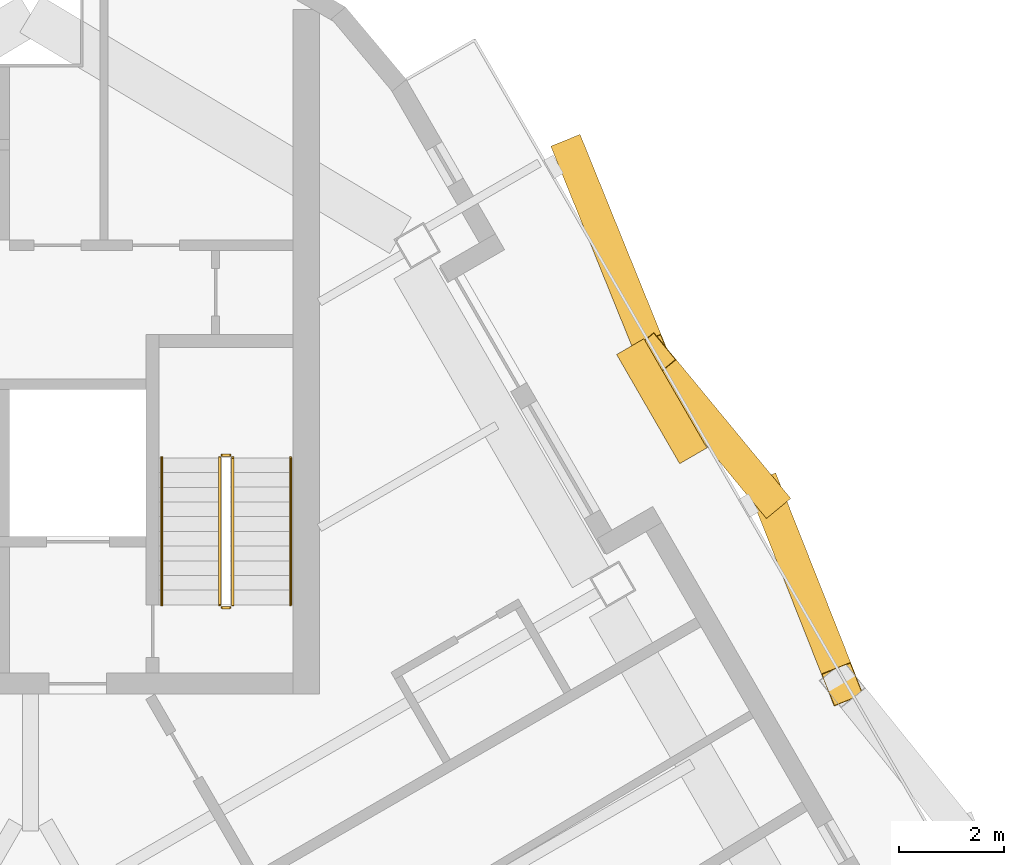
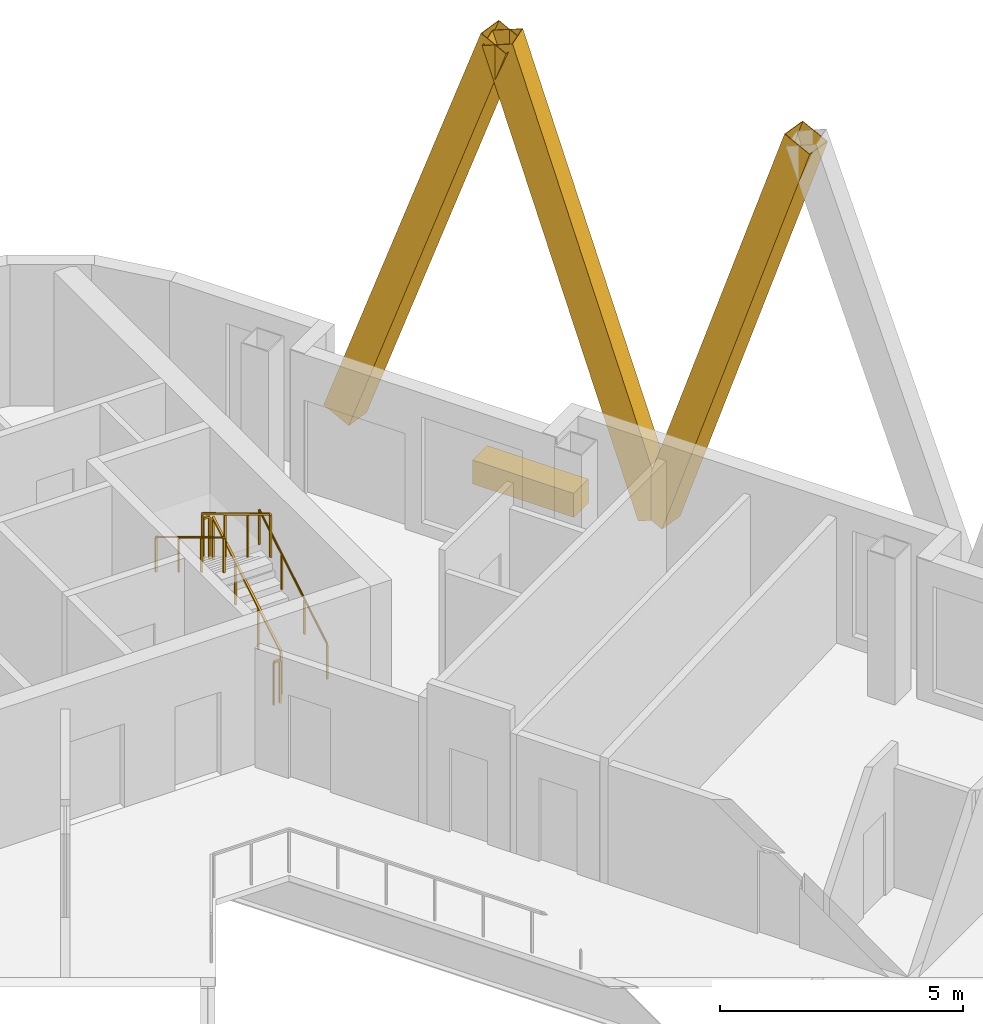
# One storey, part 14 of 14: 6 railings, 3 shading devices, 1 covering.
"""IFC4 building model written with IfcOpenShell, lengths in metres."""

import ifcopenshell
import ifcopenshell.guid

model = None  # the IFC model being written
_history = None  # IfcOwnerHistory: only IFC2X3 demands one
_inside = {}  # id of a spatial element -> (the spatial element, [elements in it])
_under = {}  # id of a project, library or spatial element -> (it, [spatial elements below it])
_declared = {}  # id of a project -> (the project, [libraries it declares])
_typed = {}  # id of a type object -> (the type object, [elements of that type])
_made_of = {}  # id of a material, layer set ... -> (it, [elements and type objects made of it])


def new_model(schema):
    """Start an empty IFC model of exactly this schema.

    Asked for "IFC4X3", IfcOpenShell would pick the latest addendum, in which some entities
    have other attributes; the version numbers below select the first issue.
    IFC2X3 requires an IfcOwnerHistory on every rooted entity: one is made here for all.
    """
    global model, _history
    if schema == "IFC4X3":
        model = ifcopenshell.file(schema_version=(4, 3, 0, 0))
    else:
        model = ifcopenshell.file(schema=schema)
    _inside.clear()
    _under.clear()
    _declared.clear()
    _typed.clear()
    _made_of.clear()
    _history = None
    if model.schema == "IFC2X3":
        org = make("IfcOrganization", Name="unknown")
        user = make(
            "IfcPersonAndOrganization",
            ThePerson=make("IfcPerson", FamilyName="unknown"),
            TheOrganization=org,
        )
        app = make(
            "IfcApplication",
            ApplicationDeveloper=org,
            Version="unknown",
            ApplicationFullName="unknown",
            ApplicationIdentifier="unknown",
        )
        _history = make(
            "IfcOwnerHistory",
            OwningUser=user,
            OwningApplication=app,
            ChangeAction="ADDED",
            CreationDate=0,
        )
    return model


def make(cls, **values):
    """One entity of the class cls with the attributes given. An attribute that is None is left unset."""
    return model.create_entity(
        cls, **{name: value for name, value in values.items() if value is not None}
    )


def rooted(cls, **values):
    """An entity with a GlobalId (a new one), such as an element, a storey or a relation."""
    return make(cls, GlobalId=ifcopenshell.guid.new(), OwnerHistory=_history, **values)


def si_unit(unit_type, name, prefix=None):
    """IfcSIUnit, for example si_unit("LENGTHUNIT", "METRE", prefix="MILLI")."""
    return make("IfcSIUnit", UnitType=unit_type, Prefix=prefix, Name=name)


def assignment(units):
    """IfcUnitAssignment: the units of a project."""
    return None if units is None else make("IfcUnitAssignment", Units=units)


def point(xyz):
    """IfcCartesianPoint."""
    return None if xyz is None else make("IfcCartesianPoint", Coordinates=xyz)


def direction(xyz):
    """IfcDirection."""
    return None if xyz is None else make("IfcDirection", DirectionRatios=xyz)


def frame(location, z_axis=None, x_axis=None):
    """IfcAxis2Placement3D, a coordinate frame: its origin and axes. An axis left out is left unset."""
    return make(
        "IfcAxis2Placement3D",
        Location=point(location),
        Axis=direction(z_axis),
        RefDirection=direction(x_axis),
    )


def frame_2d(location, x_axis=None):
    """IfcAxis2Placement2D, a coordinate frame in the plane: its origin and x axis."""
    return make(
        "IfcAxis2Placement2D", Location=point(location), RefDirection=direction(x_axis)
    )


def origin():
    """The frame at (0, 0, 0) with its axes left unset."""
    return frame((0.0, 0.0, 0.0))


def origin_2d():
    """The frame at (0, 0) in the plane with its x axis left unset."""
    return frame_2d((0.0, 0.0))


def place(relative_to, where):
    """IfcLocalPlacement: puts the frame where relative to a parent placement (None: the world)."""
    return make(
        "IfcLocalPlacement", PlacementRelTo=relative_to, RelativePlacement=where
    )


def context(
    kind, dimensions, precision=None, world=None, true_north=None, identifier=None
):
    """IfcGeometricRepresentationContext, for example the 3D "Model" context."""
    return make(
        "IfcGeometricRepresentationContext",
        ContextIdentifier=identifier,
        ContextType=kind,
        CoordinateSpaceDimension=dimensions,
        Precision=precision,
        WorldCoordinateSystem=world,
        TrueNorth=true_north,
    )


def subcontext(parent, identifier, kind, view, scale=None):
    """IfcGeometricRepresentationSubContext, for example "Body" below "Model"."""
    return make(
        "IfcGeometricRepresentationSubContext",
        ContextIdentifier=identifier,
        ContextType=kind,
        ParentContext=parent,
        TargetScale=scale,
        TargetView=view,
    )


def project(units=None, contexts=None):
    """IfcProject with its units and contexts."""
    return rooted(
        "IfcProject",
        Name="project",
        RepresentationContexts=contexts,
        UnitsInContext=assignment(units),
    )


def spatial(cls, under=None, at=None, **own):
    """A site, building, storey or space (cls), placed at a placement, below another one or the project."""
    s = rooted(cls, ObjectPlacement=at, **own)
    if under is not None:
        _under.setdefault(under.id(), (under, []))[1].append(s)
    return s


def profile(cls, at=None, kind="AREA", **sizes):
    """A parametric profile (cls). Its sizes go by their IFC names, for example OverallWidth=200.0."""
    return make(cls, ProfileType=kind, Position=at, **sizes)


def rectangle(**sizes):
    """IfcRectangleProfileDef."""
    return profile("IfcRectangleProfileDef", **sizes)


def hollow_rectangle(**sizes):
    """IfcRectangleHollowProfileDef."""
    return profile("IfcRectangleHollowProfileDef", **sizes)


def circle(**sizes):
    """IfcCircleProfileDef."""
    return profile("IfcCircleProfileDef", **sizes)


def extrude(swept, where, along, depth):
    """IfcExtrudedAreaSolid: the profile swept, set in the frame where, extruded along a direction by depth."""
    return make(
        "IfcExtrudedAreaSolid",
        SweptArea=swept,
        Position=where,
        ExtrudedDirection=direction(along),
        Depth=depth,
    )


def shape(context_of_items, identifier, shape_type, items):
    """IfcShapeRepresentation: the items that make up one representation, for example the "Body"."""
    return make(
        "IfcShapeRepresentation",
        ContextOfItems=context_of_items,
        RepresentationIdentifier=identifier,
        RepresentationType=shape_type,
        Items=items,
    )


def material(Name=None, Category=None):
    """IfcMaterial."""
    return make("IfcMaterial", Name=Name, Category=Category)


def material_profile(
    of_material, cross_section, Name=None, Category=None, Priority=None
):
    """IfcMaterialProfile: a cross section and its material."""
    return make(
        "IfcMaterialProfile",
        Name=Name,
        Material=of_material,
        Profile=cross_section,
        Priority=Priority,
        Category=Category,
    )


def profile_set(profiles, Name=None, composite=None):
    """IfcMaterialProfileSet."""
    return make(
        "IfcMaterialProfileSet",
        Name=Name,
        MaterialProfiles=profiles,
        CompositeProfile=composite,
    )


def made_of(thing, what):
    """Note that an element or type object is made of a material, layer set ...; save() writes the relation."""
    if what is not None:
        _made_of.setdefault(what.id(), (what, []))[1].append(thing)
    return thing


def type_object(cls, material=None, **own):
    """A type object (cls), such as IfcWallType, which elements share."""
    return made_of(rooted(cls, **own), material)


def element(
    cls,
    number,
    at=None,
    inside=None,
    cuts=None,
    type_object=None,
    material=None,
    context=None,
    identifier="Body",
    shape_type=None,
    held_by="IfcProductDefinitionShape",
    body=None,
    shapes=None,
    **own,
):
    """One element of the class cls, such as IfcWall. Its Tag is "e" and its number.

    at: its placement. inside: the storey or other place that contains it. cuts: it is an
    opening in that element (IfcRelVoidsElement). A single representation is given by context,
    identifier, shape_type and body (its items); several are given by shapes. held_by: the class
    of the entity that holds the representations. save() writes the other relations.
    """
    e = rooted(cls, Tag="e%d" % number, ObjectPlacement=at, **own)
    if body is not None:
        shapes = [shape(context, identifier, shape_type, body)]
    if shapes is not None:
        e.Representation = make(held_by, Representations=shapes)
    if inside is not None:
        _inside.setdefault(inside.id(), (inside, []))[1].append(e)
    if cuts is not None:
        rooted(
            "IfcRelVoidsElement", RelatingBuildingElement=cuts, RelatedOpeningElement=e
        )
    if type_object is not None:
        _typed.setdefault(type_object.id(), (type_object, []))[1].append(e)
    return made_of(e, material)


def aggregate(whole, parts):
    """IfcRelAggregates: a whole, such as a stair, and the parts it consists of."""
    return rooted("IfcRelAggregates", RelatingObject=whole, RelatedObjects=parts)


def save(model, path):
    """Write the relations noted so far, then the file.

    IfcRelAggregates (storeys below a building ...), IfcRelContainedInSpatialStructure (elements
    in a storey), IfcRelDefinesByType, IfcRelAssociatesMaterial and IfcRelDeclares: one each for
    every whole, place, type object, material and project.
    """
    for whole, parts in _under.values():
        aggregate(whole, parts)
    for where, things in _inside.values():
        rooted(
            "IfcRelContainedInSpatialStructure",
            RelatedElements=things,
            RelatingStructure=where,
        )
    for kind, things in _typed.values():
        rooted("IfcRelDefinesByType", RelatedObjects=things, RelatingType=kind)
    for what, things in _made_of.values():
        rooted("IfcRelAssociatesMaterial", RelatedObjects=things, RelatingMaterial=what)
    for by, libraries in _declared.values():
        rooted("IfcRelDeclares", RelatingContext=by, RelatedDefinitions=libraries)
    model.write(path)


model = new_model("IFC4")

# Units and contexts
model_context = context("Model", 3, precision=1e-05, world=origin(), true_north=direction((0.0, 1.0)))
body_context = subcontext(model_context, "Body", "Model", "MODEL_VIEW")
ifc_project = project(units=[si_unit("LENGTHUNIT", "METRE"), si_unit("AREAUNIT", "SQUARE_METRE"), si_unit("VOLUMEUNIT", "CUBIC_METRE"), si_unit("PLANEANGLEUNIT", "RADIAN"), si_unit("MASSUNIT", "GRAM", prefix="KILO")], contexts=[model_context])

# Site, building, storey
site_placement = place(None, origin())
site = spatial("IfcSite", under=ifc_project, at=site_placement, CompositionType="ELEMENT")
building_placement = place(site_placement, origin())
building = spatial("IfcBuilding", under=site, at=building_placement, Name="Apuvela Tower Hotel", CompositionType="ELEMENT")
storey_placement = place(building_placement, frame((0.0, 0.0, 268.89990234375)))
storey = spatial("IfcBuildingStorey", under=building, at=storey_placement, Name="L66", CompositionType="ELEMENT", Elevation=268.89990234375)

# Railings
ifc_material_1 = material(Name="Steel S275 balustrade", Category="steel")
railing_type_1 = type_object("IfcRailingType", Name="COR-GUARD-1100", PredefinedType="GUARDRAIL", material=ifc_material_1)
railing_1_placement = place(storey_placement, frame((3.85009765625, 14.60009765625, 0.168212890625)))
element("IfcRailing", 1, at=railing_1_placement, inside=storey, type_object=railing_type_1, Name="L66 ST1 stair guard 1", PredefinedType="GUARDRAIL", context=body_context, shape_type="SweptSolid", body=[
    extrude(rectangle(XDim=0.048095703125, YDim=0.048095703125, at=origin_2d()), frame((0.0, 0.0, 1.076171875), z_axis=(0.0, 0.857222391501, 0.514946377315), x_axis=(-1.0, 0.0, 0.0)), (0.0, 0.0, 1.0), 3.26611328125),
    extrude(rectangle(XDim=0.0419921875, YDim=0.0419921875, at=origin_2d()), origin(), (0.0, 0.0, 1.0), 1.052001953125),
    extrude(rectangle(XDim=0.0419921875, YDim=0.0419921875, at=origin_2d()), frame((0.0, 0.933349609375, 0.560546875)), (0.0, 0.0, 1.0), 1.052001953125),
    extrude(rectangle(XDim=0.0419921875, YDim=0.0419921875, at=origin_2d()), frame((0.0, 1.866455078125, 1.121337890625)), (0.0, 0.0, 1.0), 1.052001953125),
    extrude(rectangle(XDim=0.0419921875, YDim=0.0419921875, at=origin_2d()), frame((0.0, 2.7998046875, 1.681884765625)), (0.0, 0.0, 1.0), 1.052001953125),
])
railing_2_placement = place(storey_placement, frame((3.800048828125, 17.449951171875, 1.85009765625)))
element("IfcRailing", 2, at=railing_2_placement, inside=storey, type_object=railing_type_1, Name="L66 ST1 stair guard 2", PredefinedType="GUARDRAIL", context=body_context, shape_type="SweptSolid", body=[
    extrude(rectangle(XDim=0.048095703125, YDim=0.048095703125, at=origin_2d()), frame((0.0, 0.0, 1.076171875), z_axis=(-1.0, 0.0, 0.0), x_axis=(0.0, -1.0, 0.0)), (0.0, 0.0, 1.0), 0.150146484375),
    extrude(rectangle(XDim=0.0419921875, YDim=0.0419921875, at=origin_2d()), origin(), (0.0, 0.0, 1.0), 1.052001953125),
    extrude(rectangle(XDim=0.0419921875, YDim=0.0419921875, at=origin_2d()), frame((-0.150146484375, 0.0, 0.0)), (0.0, 0.0, 1.0), 1.052001953125),
])
railing_3_placement = place(storey_placement, frame((3.60009765625, 17.39990234375, 2.018310546875)))
element("IfcRailing", 3, at=railing_3_placement, inside=storey, type_object=railing_type_1, Name="L66 ST1 stair guard 3", PredefinedType="GUARDRAIL", context=body_context, shape_type="SweptSolid", body=[
    extrude(rectangle(XDim=0.048095703125, YDim=0.048095703125, at=origin_2d()), frame((0.0, 0.0, 1.076171875), z_axis=(0.0, -0.857222391501, 0.514946377315), x_axis=(1.0, 0.0, 0.0)), (0.0, 0.0, 1.0), 3.26611328125),
    extrude(rectangle(XDim=0.0419921875, YDim=0.0419921875, at=origin_2d()), origin(), (0.0, 0.0, 1.0), 1.052001953125),
    extrude(rectangle(XDim=0.0419921875, YDim=0.0419921875, at=origin_2d()), frame((0.0, -0.933349609375, 0.560546875)), (0.0, 0.0, 1.0), 1.052001953125),
    extrude(rectangle(XDim=0.0419921875, YDim=0.0419921875, at=origin_2d()), frame((0.0, -1.866455078125, 1.121337890625)), (0.0, 0.0, 1.0), 1.052001953125),
    extrude(rectangle(XDim=0.0419921875, YDim=0.0419921875, at=origin_2d()), frame((0.0, -2.7998046875, 1.681884765625)), (0.0, 0.0, 1.0), 1.052001953125),
])
railing_4_placement = place(storey_placement, frame((3.800048828125, 14.550048828125, 0.0)))
element("IfcRailing", 4, at=railing_4_placement, inside=storey, type_object=railing_type_1, Name="L66 ST1 stair guard 4", PredefinedType="GUARDRAIL", context=body_context, shape_type="SweptSolid", body=[
    extrude(rectangle(XDim=0.048095703125, YDim=0.048095703125, at=origin_2d()), frame((0.0, 0.0, 1.076171875), z_axis=(-1.0, 0.0, 0.0), x_axis=(0.0, -1.0, 0.0)), (0.0, 0.0, 1.0), 0.150146484375),
    extrude(rectangle(XDim=0.0419921875, YDim=0.0419921875, at=origin_2d()), origin(), (0.0, 0.0, 1.0), 1.052001953125),
    extrude(rectangle(XDim=0.0419921875, YDim=0.0419921875, at=origin_2d()), frame((-0.150146484375, 0.0, 0.0)), (0.0, 0.0, 1.0), 1.052001953125),
])
ifc_material_2 = material(Name="Stainless steel 316 handrail", Category="steel")
railing_type_2 = type_object("IfcRailingType", Name="COR-HANDRAIL-900", PredefinedType="HANDRAIL", material=ifc_material_2)
railing_5_placement = place(storey_placement, frame((4.949951171875, 14.60009765625, 0.168212890625)))
element("IfcRailing", 5, at=railing_5_placement, inside=storey, type_object=railing_type_2, Name="L66 ST1 stair handrail 1", PredefinedType="HANDRAIL", context=body_context, shape_type="SweptSolid", body=[
    extrude(circle(Radius=0.02392578125, at=origin_2d()), frame((0.0, 0.0, 0.8759765625), z_axis=(0.0, 0.857222391501, 0.514946377315), x_axis=(-1.0, 0.0, 0.0)), (0.0, 0.0, 1.0), 3.26611328125),
    extrude(rectangle(XDim=0.0419921875, YDim=0.0419921875, at=origin_2d()), origin(), (0.0, 0.0, 1.0), 0.851806640625),
    extrude(rectangle(XDim=0.0419921875, YDim=0.0419921875, at=origin_2d()), frame((0.0, 0.933349609375, 0.560546875)), (0.0, 0.0, 1.0), 0.851806640625),
    extrude(rectangle(XDim=0.0419921875, YDim=0.0419921875, at=origin_2d()), frame((0.0, 1.866455078125, 1.121337890625)), (0.0, 0.0, 1.0), 0.851806640625),
    extrude(rectangle(XDim=0.0419921875, YDim=0.0419921875, at=origin_2d()), frame((0.0, 2.7998046875, 1.681884765625)), (0.0, 0.0, 1.0), 0.851806640625),
])
railing_6_placement = place(storey_placement, frame((2.5, 17.39990234375, 2.018310546875)))
element("IfcRailing", 6, at=railing_6_placement, inside=storey, type_object=railing_type_2, Name="L66 ST1 stair handrail 2", PredefinedType="HANDRAIL", context=body_context, shape_type="SweptSolid", body=[
    extrude(circle(Radius=0.02392578125, at=origin_2d()), frame((0.0, 0.0, 0.8759765625), z_axis=(0.0, -0.857222391501, 0.514946377315), x_axis=(1.0, 0.0, 0.0)), (0.0, 0.0, 1.0), 3.26611328125),
    extrude(rectangle(XDim=0.0419921875, YDim=0.0419921875, at=origin_2d()), origin(), (0.0, 0.0, 1.0), 0.851806640625),
    extrude(rectangle(XDim=0.0419921875, YDim=0.0419921875, at=origin_2d()), frame((0.0, -0.933349609375, 0.560546875)), (0.0, 0.0, 1.0), 0.851806640625),
    extrude(rectangle(XDim=0.0419921875, YDim=0.0419921875, at=origin_2d()), frame((0.0, -1.866455078125, 1.121337890625)), (0.0, 0.0, 1.0), 0.851806640625),
    extrude(rectangle(XDim=0.0419921875, YDim=0.0419921875, at=origin_2d()), frame((0.0, -2.7998046875, 1.681884765625)), (0.0, 0.0, 1.0), 0.851806640625),
])

# Shading devices
ifc_material_3 = material(Name="Aluminium 6063-T6, black anodised", Category="aluminium")
ifc_material_profile = material_profile(ifc_material_3, hollow_rectangle(XDim=0.60009765625, YDim=0.699951171875, WallThickness=0.011962890625, at=origin_2d()), Name="AL BOX 700x600x12")
ifc_profile_set = profile_set([ifc_material_profile], Name="Aluminium 6063-T6, black anodised")
shading_device_type = type_object("IfcShadingDeviceType", Name="ENV-FIN-700x600", PredefinedType="USERDEFINED", material=ifc_profile_set)
shading_device_1_placement = place(storey_placement, frame((14.028076171875, 16.694091796875, -0.099853515625), z_axis=(0.121367888834, -0.30664858551, 0.944053219138), x_axis=(0.929820976648, 0.368012162006, 0.0)))
element("IfcShadingDevice", 7, at=shading_device_1_placement, inside=storey, type_object=shading_device_type, Name="Lattice fin NE582", ObjectType="FIN", PredefinedType="USERDEFINED", context=body_context, shape_type="SweptSolid", body=[
    extrude(hollow_rectangle(XDim=0.60009765625, YDim=0.699951171875, WallThickness=0.011962890625, at=origin_2d()), origin(), (0.0, 0.0, 1.0), 11.757568359375),
])
shading_device_2_placement = place(storey_placement, frame((14.028076171875, 16.694091796875, -0.099853515625), z_axis=(-0.187717047457, 0.227542820512, 0.955503309742), x_axis=(-0.771382896295, -0.636371296731, 0.0)))
element("IfcShadingDevice", 8, at=shading_device_2_placement, inside=storey, type_object=shading_device_type, Name="Lattice fin NE583", ObjectType="FIN", PredefinedType="USERDEFINED", context=body_context, shape_type="SweptSolid", body=[
    extrude(hollow_rectangle(XDim=0.60009765625, YDim=0.699951171875, WallThickness=0.011962890625, at=origin_2d()), origin(), (0.0, 0.0, 1.0), 11.61669921875),
])
shading_device_3_placement = place(storey_placement, frame((10.306396484375, 23.140380859375, -0.099853515625), z_axis=(0.130219072709, -0.321359710962, 0.937961048911), x_axis=(0.926801403777, 0.375551804625, 0.0)))
element("IfcShadingDevice", 9, at=shading_device_3_placement, inside=storey, type_object=shading_device_type, Name="Lattice fin NE584", ObjectType="FIN", PredefinedType="USERDEFINED", context=body_context, shape_type="SweptSolid", body=[
    extrude(hollow_rectangle(XDim=0.60009765625, YDim=0.699951171875, WallThickness=0.011962890625, at=origin_2d()), origin(), (0.0, 0.0, 1.0), 11.833984375),
])

# Covering
ifc_material_4 = material(Name="Planting substrate and soil, planted")
covering_type = type_object("IfcCoveringType", Name="ENV-PLANTER-2400x600", PredefinedType="USERDEFINED", material=ifc_material_4)
covering_placement = place(storey_placement, frame((12.01708984375, 18.4775390625, 0.0), z_axis=(0.0, 0.0, 1.0), x_axis=(-0.5, 0.866025403784, 0.0)))
element("IfcCovering", 10, at=covering_placement, inside=storey, type_object=covering_type, Name="Planter NE4", ObjectType="PLANTER", PredefinedType="USERDEFINED", context=body_context, shape_type="SweptSolid", body=[
    extrude(rectangle(XDim=2.39990234375, YDim=0.60009765625, at=origin_2d()), origin(), (0.0, 0.0, 1.0), 0.60009765625),
])

save(model, "model.ifc")
